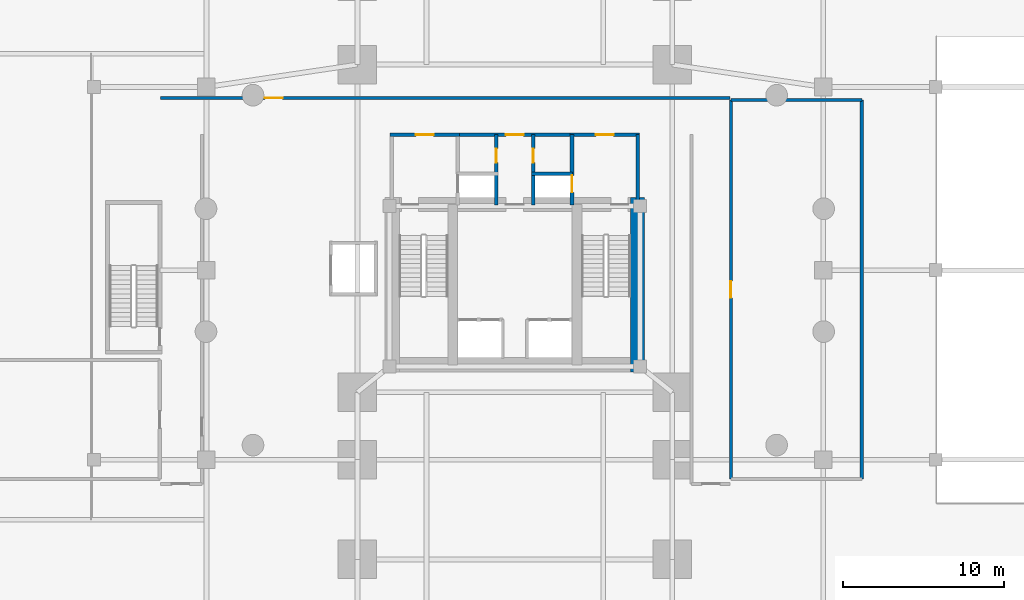
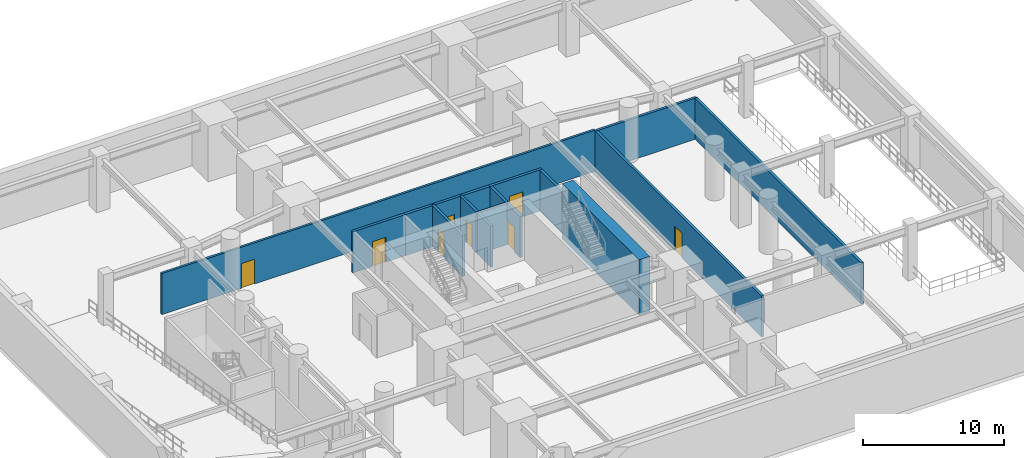
# One storey, part 4 of 7: 13 walls, 8 doors, 8 openings.
"""IFC4 building model written with IfcOpenShell, lengths in metres."""

from ifc_helpers import new_model, si_unit, direction, frame, frame_2d, origin, place, context, subcontext, project, spatial, rectangle, extrude, material, layer, layer_set, type_object, element, fill, save


model = new_model("IFC4")

# Units and contexts
model_context = context("Model", 3, precision=1e-05, world=origin(), true_north=direction((0.0, 1.0)))
body_context = subcontext(model_context, "Body", "Model", "MODEL_VIEW")
ifc_project = project(units=[si_unit("LENGTHUNIT", "METRE"), si_unit("AREAUNIT", "SQUARE_METRE"), si_unit("VOLUMEUNIT", "CUBIC_METRE"), si_unit("PLANEANGLEUNIT", "RADIAN"), si_unit("MASSUNIT", "GRAM", prefix="KILO"), si_unit("THERMODYNAMICTEMPERATUREUNIT", "KELVIN"), si_unit("POWERUNIT", "WATT")], contexts=[model_context])

# Site, building, storey
site_placement = place(None, origin())
site = spatial("IfcSite", under=ifc_project, at=site_placement, CompositionType="ELEMENT")
building_placement = place(site_placement, origin())
building = spatial("IfcBuilding", under=site, at=building_placement, Name="Ocrelia Relay Tower", CompositionType="ELEMENT")
storey_placement = place(building_placement, frame((0.0, 0.0, -4.800048828125)))
storey = spatial("IfcBuildingStorey", under=building, at=storey_placement, Name="B1", CompositionType="ELEMENT", Elevation=-4.800048828125)

# Wall
ifc_material_1 = material(Name="Concrete C70/85", Category="concrete")
ifc_layer_1 = layer(ifc_material_1, 0.89990234375, Name="Concrete C70/85")
ifc_layer_set_1 = layer_set([ifc_layer_1], Name="Concrete C70/85")
wall_type_1 = type_object("IfcWallType", Name="CW-CORE-900", PredefinedType="SHEAR", material=ifc_layer_set_1)
wall_1_placement = place(storey_placement, frame((41.637939453125, 19.662109375, 0.0), z_axis=(0.0, 0.0, 1.0), x_axis=(0.0, 1.0, 0.0)))
element("IfcWall", 1, at=wall_1_placement, inside=storey, type_object=wall_type_1, Name="B1 Core Shear Wall E", PredefinedType="SHEAR", context=body_context, shape_type="SweptSolid", body=[
    extrude(rectangle(XDim=10.8759765625, YDim=0.89990234375, at=frame_2d((5.43798828125, 0.0))), origin(), (0.0, 0.0, 1.0), 4.800048828125),
])

# Wall, opening, door
ifc_material_2 = material(Name="Gypsum Fireboard Partition EI60", Category="gypsum")
ifc_layer_2 = layer(ifc_material_2, 0.179931640625, Name="Gypsum Fireboard Partition EI60")
ifc_layer_set_2 = layer_set([ifc_layer_2], Name="Gypsum Fireboard Partition EI60")
wall_type_2 = type_object("IfcWallType", Name="W-CORR-EI60-180", PredefinedType="PARTITIONING", material=ifc_layer_set_2)
wall_2_placement = place(storey_placement, frame((11.949951171875, 36.719970703125, 0.0), z_axis=(0.0, 0.0, 1.0), x_axis=(1.0, 0.0, 0.0)))
wall_2 = element("IfcWall", 2, at=wall_2_placement, inside=storey, type_object=wall_type_2, Name="B1 Basement Corridor North Wall", PredefinedType="PARTITIONING", context=body_context, shape_type="SweptSolid", body=[
    extrude(rectangle(XDim=35.449951171875, YDim=0.179931640625, at=frame_2d((17.72509765625, 0.0))), origin(), (0.0, 0.0, 1.0), 3.56005859375),
])
opening_1_placement = place(wall_2_placement, frame((6.5, 0.0, 0.0)))
opening_1 = element("IfcOpeningElement", 3, at=opening_1_placement, cuts=wall_2, Name="Opening D-FD60", PredefinedType="OPENING", context=body_context, shape_type="SweptSolid", body=[
    extrude(rectangle(XDim=1.10009765625, YDim=2.14990234375, at=frame_2d((0.550048828125, 1.074951171875))), frame((0.0, 0.10009765625, 0.0), z_axis=(0.0, -1.0, 0.0), x_axis=(1.0, 0.0, 0.0)), (0.0, 0.0, 1.0), 0.199951171875),
])
ifc_material_3 = material(Name="Timber-core 60-min acoustic fire door", Category="wood")
door_type_1 = type_object("IfcDoorType", Name="DR-LOBBY-FD60-1100", OperationType="NOTDEFINED", PredefinedType="DOOR", material=ifc_material_3)
door_1_placement = place(opening_1_placement, origin())
door_1 = element("IfcDoor", 4, at=door_1_placement, inside=storey, type_object=door_type_1, Name="B1 Car Park North Vestibule Fire Door", OperationType="SINGLE_SWING_RIGHT", OverallHeight=2.14990234375, OverallWidth=1.10009765625, PredefinedType="DOOR", context=body_context, shape_type="SweptSolid", body=[
    extrude(rectangle(XDim=1.10009765625, YDim=2.14990234375, at=frame_2d((0.550048828125, 1.074951171875))), frame((0.0, 0.02490234375, 0.0), z_axis=(0.0, -1.0, 0.0), x_axis=(1.0, 0.0, 0.0)), (0.0, 0.0, 1.0), 0.050048828125),
])
fill(opening_1, door_1)

ifc_material_4 = material(Name="Concrete C50/60", Category="concrete")
ifc_layer_3 = layer(ifc_material_4, 0.219970703125, Name="Concrete C50/60")
ifc_layer_set_3 = layer_set([ifc_layer_3], Name="Concrete C50/60")
wall_type_3 = type_object("IfcWallType", Name="W-FFL-EI120-220", PredefinedType="SOLIDWALL", material=ifc_layer_set_3)
wall_3_placement = place(storey_placement, frame((26.239990234375, 34.429931640625, 0.0), z_axis=(0.0, 0.0, 1.0), x_axis=(1.0, 0.0, 0.0)))
wall_3 = element("IfcWall", 5, at=wall_3_placement, inside=storey, type_object=wall_type_3, Name="B1 W Fire Service Lift Lobby North Wall", PredefinedType="SOLIDWALL", context=body_context, shape_type="SweptSolid", body=[
    extrude(rectangle(XDim=4.31005859375, YDim=0.219970703125, at=frame_2d((2.155029296875, 0.0))), origin(), (0.0, 0.0, 1.0), 3.56005859375),
])
opening_2_placement = place(wall_3_placement, frame((1.60009765625, 0.0, 0.0)))
opening_2 = element("IfcOpeningElement", 6, at=opening_2_placement, cuts=wall_3, Name="Opening D-FD60", PredefinedType="OPENING", context=body_context, shape_type="SweptSolid", body=[
    extrude(rectangle(XDim=1.10009765625, YDim=2.14990234375, at=frame_2d((0.550048828125, 1.074951171875))), frame((0.0, 0.1201171875, 0.0), z_axis=(0.0, -1.0, 0.0), x_axis=(1.0, 0.0, 0.0)), (0.0, 0.0, 1.0), 0.239990234375),
])
door_2_placement = place(opening_2_placement, origin())
door_2 = element("IfcDoor", 7, at=door_2_placement, inside=storey, type_object=door_type_1, Name="B1 W Fire Service Lift Lobby Exit Door", OperationType="SINGLE_SWING_RIGHT", OverallHeight=2.14990234375, OverallWidth=1.10009765625, PredefinedType="DOOR", context=body_context, shape_type="SweptSolid", body=[
    extrude(rectangle(XDim=1.10009765625, YDim=2.14990234375, at=frame_2d((0.550048828125, 1.074951171875))), frame((0.0, 0.02490234375, 0.0), z_axis=(0.0, -1.0, 0.0), x_axis=(1.0, 0.0, 0.0)), (0.0, 0.0, 1.0), 0.050048828125),
])
fill(opening_2, door_2)

wall_4_placement = place(storey_placement, frame((37.56005859375, 30.050048828125, 0.0), z_axis=(0.0, 0.0, 1.0), x_axis=(0.0, 1.0, 0.0)))
wall_4 = element("IfcWall", 8, at=wall_4_placement, inside=storey, type_object=wall_type_3, Name="B1 E Fire Service Lift Lobby West Wall", PredefinedType="SOLIDWALL", context=body_context, shape_type="SweptSolid", body=[
    extrude(rectangle(XDim=4.3798828125, YDim=0.219970703125, at=frame_2d((2.18994140625, 0.0))), origin(), (0.0, 0.0, 1.0), 3.56005859375),
])
opening_3_placement = place(wall_4_placement, frame((0.800048828125, 0.0, 0.0)))
opening_3 = element("IfcOpeningElement", 9, at=opening_3_placement, cuts=wall_4, Name="Opening LD-FFL2", PredefinedType="OPENING", context=body_context, shape_type="SweptSolid", body=[
    extrude(rectangle(XDim=1.050048828125, YDim=2.10009765625, at=frame_2d((0.52490234375, 1.050048828125))), frame((0.0, 0.1201171875, 0.0), z_axis=(0.0, -1.0, 0.0), x_axis=(1.0, 0.0, 0.0)), (0.0, 0.0, 1.0), 0.239990234375),
])
ifc_material_5 = material(Name="Brushed stainless steel S355 lift landing door", Category="steel")
door_type_2 = type_object("IfcDoorType", Name="DR-LIFT-LAND-1050", OperationType="DOUBLE_DOOR_SLIDING", PredefinedType="USERDEFINED", material=ifc_material_5)
door_3_placement = place(opening_3_placement, origin())
door_3 = element("IfcDoor", 10, at=door_3_placement, inside=storey, type_object=door_type_2, Name="B1 Firefighting Lift FFL2 Sliding Landing Door", ObjectType="LANDING DOOR", OperationType="DOUBLE_DOOR_SLIDING", OverallHeight=2.10009765625, OverallWidth=1.050048828125, PredefinedType="USERDEFINED", context=body_context, shape_type="SweptSolid", body=[
    extrude(rectangle(XDim=1.050048828125, YDim=2.10009765625, at=frame_2d((0.52490234375, 1.050048828125))), frame((0.0, 0.02490234375, 0.0), z_axis=(0.0, -1.0, 0.0), x_axis=(1.0, 0.0, 0.0)), (0.0, 0.0, 1.0), 0.050048828125),
])
fill(opening_3, door_3)

# Wall
wall_5_placement = place(storey_placement, frame((41.64990234375, 30.050048828125, 0.0), z_axis=(0.0, 0.0, 1.0), x_axis=(0.0, 1.0, 0.0)))
element("IfcWall", 11, at=wall_5_placement, inside=storey, type_object=wall_type_3, Name="B1 E Fire Service Lift Lobby East Wall", PredefinedType="SOLIDWALL", context=body_context, shape_type="SweptSolid", body=[
    extrude(rectangle(XDim=4.3798828125, YDim=0.219970703125, at=frame_2d((2.18994140625, 0.0))), origin(), (0.0, 0.0, 1.0), 3.56005859375),
])

# Wall, opening, door
wall_6_placement = place(storey_placement, frame((37.449951171875, 34.429931640625, 0.0), z_axis=(0.0, 0.0, 1.0), x_axis=(1.0, 0.0, 0.0)))
wall_6 = element("IfcWall", 12, at=wall_6_placement, inside=storey, type_object=wall_type_3, Name="B1 E Fire Service Lift Lobby North Wall", PredefinedType="SOLIDWALL", context=body_context, shape_type="SweptSolid", body=[
    extrude(rectangle(XDim=4.31005859375, YDim=0.219970703125, at=frame_2d((2.155029296875, 0.0))), origin(), (0.0, 0.0, 1.0), 3.56005859375),
])
opening_4_placement = place(wall_6_placement, frame((1.60009765625, 0.0, 0.0)))
opening_4 = element("IfcOpeningElement", 13, at=opening_4_placement, cuts=wall_6, Name="Opening D-FD60", PredefinedType="OPENING", context=body_context, shape_type="SweptSolid", body=[
    extrude(rectangle(XDim=1.10009765625, YDim=2.14990234375, at=frame_2d((0.550048828125, 1.074951171875))), frame((0.0, 0.1201171875, 0.0), z_axis=(0.0, -1.0, 0.0), x_axis=(1.0, 0.0, 0.0)), (0.0, 0.0, 1.0), 0.239990234375),
])
door_4_placement = place(opening_4_placement, origin())
door_4 = element("IfcDoor", 14, at=door_4_placement, inside=storey, type_object=door_type_1, Name="B1 E Fire Service Lift Lobby Exit Door", OperationType="SINGLE_SWING_RIGHT", OverallHeight=2.14990234375, OverallWidth=1.10009765625, PredefinedType="DOOR", context=body_context, shape_type="SweptSolid", body=[
    extrude(rectangle(XDim=1.10009765625, YDim=2.14990234375, at=frame_2d((0.550048828125, 1.074951171875))), frame((0.0, 0.02490234375, 0.0), z_axis=(0.0, -1.0, 0.0), x_axis=(1.0, 0.0, 0.0)), (0.0, 0.0, 1.0), 0.050048828125),
])
fill(opening_4, door_4)

wall_7_placement = place(storey_placement, frame((30.43994140625, 34.429931640625, 0.0), z_axis=(0.0, 0.0, 1.0), x_axis=(1.0, 0.0, 0.0)))
wall_7 = element("IfcWall", 15, at=wall_7_placement, inside=storey, type_object=wall_type_3, Name="B1 North Core Vestibule Wall", PredefinedType="SOLIDWALL", context=body_context, shape_type="SweptSolid", body=[
    extrude(rectangle(XDim=7.1201171875, YDim=0.219970703125, at=frame_2d((3.56005859375, 0.0))), origin(), (0.0, 0.0, 1.0), 3.56005859375),
])
opening_5_placement = place(wall_7_placement, frame((3.010009765625, 0.0, 0.0)))
opening_5 = element("IfcOpeningElement", 16, at=opening_5_placement, cuts=wall_7, Name="Opening D-FD60", PredefinedType="OPENING", context=body_context, shape_type="SweptSolid", body=[
    extrude(rectangle(XDim=1.10009765625, YDim=2.14990234375, at=frame_2d((0.550048828125, 1.074951171875))), frame((0.0, 0.1201171875, 0.0), z_axis=(0.0, -1.0, 0.0), x_axis=(1.0, 0.0, 0.0)), (0.0, 0.0, 1.0), 0.239990234375),
])
door_5_placement = place(opening_5_placement, origin())
door_5 = element("IfcDoor", 17, at=door_5_placement, inside=storey, type_object=door_type_1, Name="B1 North Core Vestibule Corridor Door", OperationType="SINGLE_SWING_RIGHT", OverallHeight=2.14990234375, OverallWidth=1.10009765625, PredefinedType="DOOR", context=body_context, shape_type="SweptSolid", body=[
    extrude(rectangle(XDim=1.10009765625, YDim=2.14990234375, at=frame_2d((0.550048828125, 1.074951171875))), frame((0.0, 0.02490234375, 0.0), z_axis=(0.0, -1.0, 0.0), x_axis=(1.0, 0.0, 0.0)), (0.0, 0.0, 1.0), 0.050048828125),
])
fill(opening_5, door_5)

ifc_layer_4 = layer(ifc_material_4, 0.199951171875, Name="Concrete C50/60")
ifc_layer_set_4 = layer_set([ifc_layer_4], Name="Concrete C50/60")
wall_type_4 = type_object("IfcWallType", Name="W-SHAFT-EI120-200", PredefinedType="SOLIDWALL", material=ifc_layer_set_4)
wall_8_placement = place(storey_placement, frame((32.85009765625, 30.050048828125, 0.0), z_axis=(0.0, 0.0, 1.0), x_axis=(0.0, 1.0, 0.0)))
wall_8 = element("IfcWall", 18, at=wall_8_placement, inside=storey, type_object=wall_type_4, Name="B1 FFL1 and Service Vestibule Wall", PredefinedType="SOLIDWALL", context=body_context, shape_type="SweptSolid", body=[
    extrude(rectangle(XDim=4.3798828125, YDim=0.199951171875, at=frame_2d((2.18994140625, 0.0))), origin(), (0.0, 0.0, 1.0), 3.56005859375),
])
opening_6_placement = place(wall_8_placement, frame((2.64990234375, 0.0, 0.0)))
opening_6 = element("IfcOpeningElement", 19, at=opening_6_placement, cuts=wall_8, Name="Opening D-RS86", PredefinedType="OPENING", context=body_context, shape_type="SweptSolid", body=[
    extrude(rectangle(XDim=0.860107421875, YDim=2.050048828125, at=frame_2d((0.43017578125, 1.02490234375))), frame((0.0, 0.10986328125, 0.0), z_axis=(0.0, -1.0, 0.0), x_axis=(1.0, 0.0, 0.0)), (0.0, 0.0, 1.0), 0.219970703125),
])
ifc_material_6 = material(Name="Steel S355 riser access fire door", Category="steel")
door_type_3 = type_object("IfcDoorType", Name="DR-RISER-TRAP-860", OperationType="NOTDEFINED", PredefinedType="TRAPDOOR", material=ifc_material_6)
door_6_placement = place(opening_6_placement, origin())
door_6 = element("IfcDoor", 20, at=door_6_placement, inside=storey, type_object=door_type_3, Name="B1 Core Support Room W Door", OperationType="SINGLE_SWING_LEFT", OverallHeight=2.050048828125, OverallWidth=0.860107421875, PredefinedType="TRAPDOOR", context=body_context, shape_type="SweptSolid", body=[
    extrude(rectangle(XDim=0.860107421875, YDim=2.050048828125, at=frame_2d((0.43017578125, 1.02490234375))), frame((0.0, 0.02490234375, 0.0), z_axis=(0.0, -1.0, 0.0), x_axis=(1.0, 0.0, 0.0)), (0.0, 0.0, 1.0), 0.050048828125),
])
fill(opening_6, door_6)

# Wall
wall_9_placement = place(storey_placement, frame((35.050048828125, 32.0, 0.0), z_axis=(0.0, 0.0, 1.0), x_axis=(1.0, 0.0, 0.0)))
element("IfcWall", 21, at=wall_9_placement, inside=storey, type_object=wall_type_4, Name="B1 FFL2 Hoistway North Wall", PredefinedType="SOLIDWALL", context=body_context, shape_type="SweptSolid", body=[
    extrude(rectangle(XDim=2.550048828125, YDim=0.199951171875, at=frame_2d((1.27490234375, 0.0))), origin(), (0.0, 0.0, 1.0), 3.56005859375),
])

# Wall, opening, door
wall_10_placement = place(storey_placement, frame((35.14990234375, 30.050048828125, 0.0), z_axis=(0.0, 0.0, 1.0), x_axis=(0.0, 1.0, 0.0)))
wall_10 = element("IfcWall", 22, at=wall_10_placement, inside=storey, type_object=wall_type_4, Name="B1 FFL2 and Service Vestibule Wall", PredefinedType="SOLIDWALL", context=body_context, shape_type="SweptSolid", body=[
    extrude(rectangle(XDim=4.3798828125, YDim=0.199951171875, at=frame_2d((2.18994140625, 0.0))), origin(), (0.0, 0.0, 1.0), 3.56005859375),
])
opening_7_placement = place(wall_10_placement, frame((2.64990234375, 0.0, 0.0)))
opening_7 = element("IfcOpeningElement", 23, at=opening_7_placement, cuts=wall_10, Name="Opening D-RS86", PredefinedType="OPENING", context=body_context, shape_type="SweptSolid", body=[
    extrude(rectangle(XDim=0.860107421875, YDim=2.050048828125, at=frame_2d((0.43017578125, 1.02490234375))), frame((0.0, 0.10986328125, 0.0), z_axis=(0.0, -1.0, 0.0), x_axis=(1.0, 0.0, 0.0)), (0.0, 0.0, 1.0), 0.219970703125),
])
door_7_placement = place(opening_7_placement, origin())
door_7 = element("IfcDoor", 24, at=door_7_placement, inside=storey, type_object=door_type_3, Name="B1 Core Support Room E Door", OperationType="SINGLE_SWING_LEFT", OverallHeight=2.050048828125, OverallWidth=0.860107421875, PredefinedType="TRAPDOOR", context=body_context, shape_type="SweptSolid", body=[
    extrude(rectangle(XDim=0.860107421875, YDim=2.050048828125, at=frame_2d((0.43017578125, 1.02490234375))), frame((0.0, 0.02490234375, 0.0), z_axis=(0.0, -1.0, 0.0), x_axis=(1.0, 0.0, 0.0)), (0.0, 0.0, 1.0), 0.050048828125),
])
fill(opening_7, door_7)

wall_11_placement = place(storey_placement, frame((47.449951171875, 36.60009765625, 0.0), z_axis=(0.0, 0.0, 1.0), x_axis=(0.0, -1.0, 0.0)))
wall_11 = element("IfcWall", 25, at=wall_11_placement, inside=storey, type_object=wall_type_4, Name="B1 Medium Voltage Transformer Substation W Partition", PredefinedType="SOLIDWALL", context=body_context, shape_type="SweptSolid", body=[
    extrude(rectangle(XDim=23.60009765625, YDim=0.199951171875, at=frame_2d((11.800048828125, 0.0))), origin(), (0.0, 0.0, 1.0), 3.56005859375),
])
opening_8_placement = place(wall_11_placement, frame((11.27490234375, 0.0, 0.0)))
opening_8 = element("IfcOpeningElement", 26, at=opening_8_placement, cuts=wall_11, Name="Opening D-FD90", PredefinedType="OPENING", context=body_context, shape_type="SweptSolid", body=[
    extrude(rectangle(XDim=1.050048828125, YDim=2.14990234375, at=frame_2d((0.52490234375, 1.074951171875))), frame((0.0, 0.10986328125, 0.0), z_axis=(0.0, -1.0, 0.0), x_axis=(1.0, 0.0, 0.0)), (0.0, 0.0, 1.0), 0.219970703125),
])
ifc_material_7 = material(Name="Steel S355 90-min fire door", Category="steel")
door_type_4 = type_object("IfcDoorType", Name="DR-STAIR-FD90-1050", OperationType="NOTDEFINED", PredefinedType="DOOR", material=ifc_material_7)
door_8_placement = place(opening_8_placement, origin())
door_8 = element("IfcDoor", 27, at=door_8_placement, inside=storey, type_object=door_type_4, Name="B1 Medium Voltage Transformer Substation Door", OperationType="SINGLE_SWING_LEFT", OverallHeight=2.14990234375, OverallWidth=1.050048828125, PredefinedType="DOOR", context=body_context, shape_type="SweptSolid", body=[
    extrude(rectangle(XDim=1.050048828125, YDim=2.14990234375, at=frame_2d((0.52490234375, 1.074951171875))), frame((0.0, 0.02490234375, 0.0), z_axis=(0.0, -1.0, 0.0), x_axis=(1.0, 0.0, 0.0)), (0.0, 0.0, 1.0), 0.050048828125),
])
fill(opening_8, door_8)

# Walls
wall_12_placement = place(storey_placement, frame((55.60009765625, 13.0, 0.0), z_axis=(0.0, 0.0, 1.0), x_axis=(0.0, 1.0, 0.0)))
element("IfcWall", 28, at=wall_12_placement, inside=storey, type_object=wall_type_4, Name="B1 Medium Voltage Transformer Substation E Partition", PredefinedType="SOLIDWALL", context=body_context, shape_type="SweptSolid", body=[
    extrude(rectangle(XDim=23.60009765625, YDim=0.199951171875, at=frame_2d((11.800048828125, 0.0))), origin(), (0.0, 0.0, 1.0), 3.56005859375),
])
wall_13_placement = place(storey_placement, frame((55.60009765625, 36.60009765625, 0.0), z_axis=(0.0, 0.0, 1.0), x_axis=(-1.0, 0.0, 0.0)))
element("IfcWall", 29, at=wall_13_placement, inside=storey, type_object=wall_type_4, Name="B1 Medium Voltage Transformer Substation N Partition", PredefinedType="SOLIDWALL", context=body_context, shape_type="SweptSolid", body=[
    extrude(rectangle(XDim=8.150146484375, YDim=0.199951171875, at=frame_2d((4.0751953125, 0.0))), origin(), (0.0, 0.0, 1.0), 3.56005859375),
])

save(model, "model.ifc")
